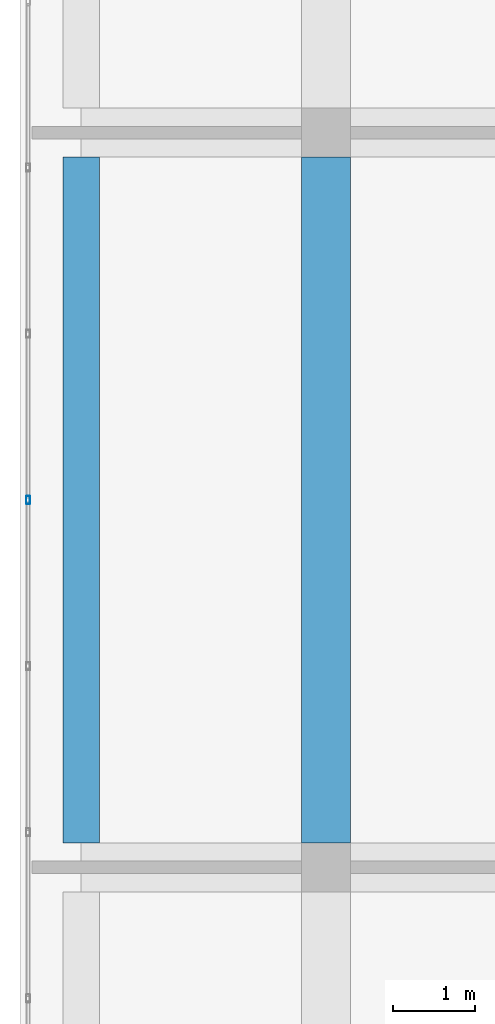
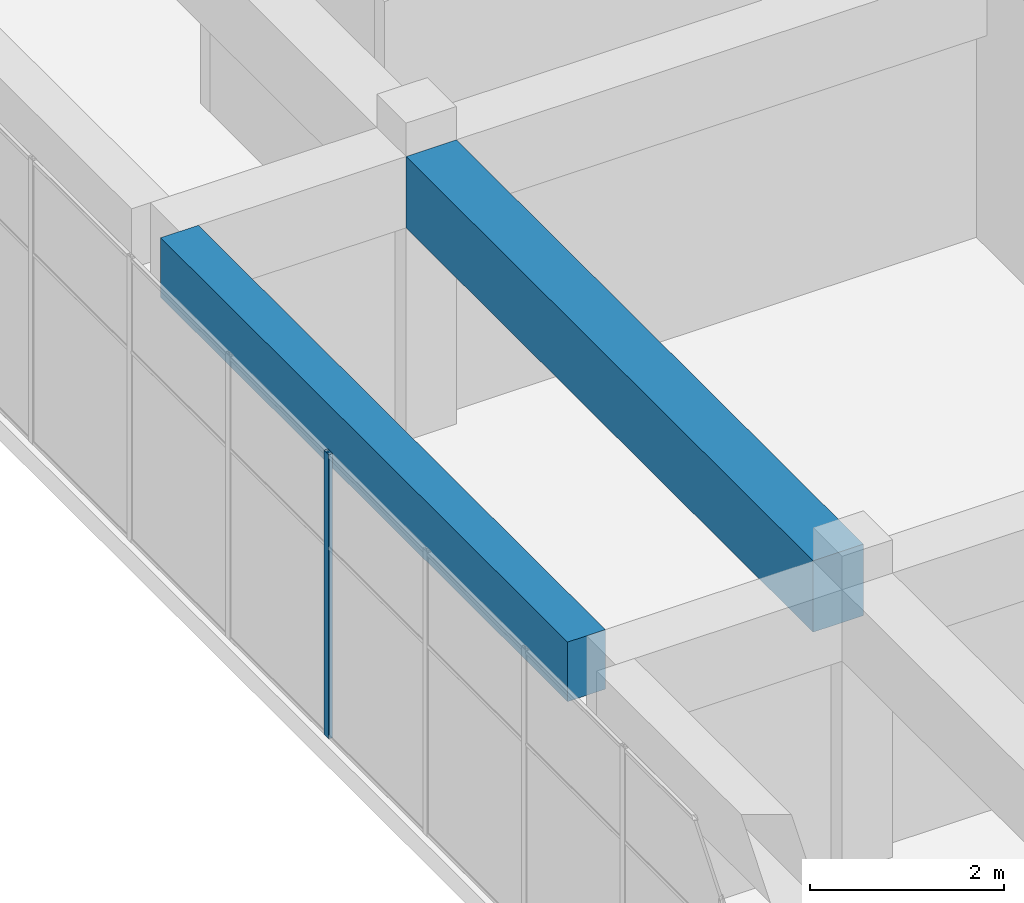
# One storey, part 11 of 35: 2 beams, 1 member, 1 element without a shape of its own.
"""IFC4 building model written with IfcOpenShell, lengths in metres."""

from ifc_helpers import new_model, si_unit, direction, frame, origin, origin_2d, place, context, subcontext, project, spatial, rectangle, hollow_rectangle, extrude, material, layer, layer_set, material_profile, profile_set, type_object, element, aggregate, save


model = new_model("IFC4")

# Units and contexts
model_context = context("Model", 3, precision=1e-05, world=origin(), true_north=direction((0.0, 1.0)))
body_context = subcontext(model_context, "Body", "Model", "MODEL_VIEW")
ifc_project = project(units=[si_unit("LENGTHUNIT", "METRE"), si_unit("AREAUNIT", "SQUARE_METRE"), si_unit("VOLUMEUNIT", "CUBIC_METRE"), si_unit("PLANEANGLEUNIT", "RADIAN"), si_unit("MASSUNIT", "GRAM", prefix="KILO")], contexts=[model_context])

# Site, building, storey
site_placement = place(None, origin())
site = spatial("IfcSite", under=ifc_project, at=site_placement, CompositionType="ELEMENT")
building_placement = place(site_placement, origin())
building = spatial("IfcBuilding", under=site, at=building_placement, Name="Tuart Plaza Theatre", CompositionType="ELEMENT")
storey_placement = place(building_placement, frame((0.0, 0.0, 49.5)))
storey = spatial("IfcBuildingStorey", under=building, at=storey_placement, Name="L12", CompositionType="ELEMENT", Elevation=49.5)

# Beams
ifc_material_1 = material(Name="Concrete N40 (40 MPa)", Category="concrete")
ifc_material_profile_1 = material_profile(ifc_material_1, rectangle(XDim=0.449951171875, YDim=0.75, at=origin_2d()), Name="BEAM 450x750 Concrete N40 (40 MPa)")
ifc_profile_set_1 = profile_set([ifc_material_profile_1], Name="Concrete N40 (40 MPa)")
beam_type_1 = type_object("IfcBeamType", Name="BEAM 450x750 Concrete N40 (40 MPa)", PredefinedType="BEAM", material=ifc_profile_set_1)
beam_1_placement = place(storey_placement, frame((111.0, 74.300048828125, 3.205078125), z_axis=(0.0, 1.0, 0.0), x_axis=(-1.0, 0.0, 0.0)))
element("IfcBeam", 1, at=beam_1_placement, inside=storey, type_object=beam_type_1, Name="RB284", PredefinedType="BEAM", context=body_context, shape_type="SweptSolid", body=[
    extrude(rectangle(XDim=0.449951171875, YDim=0.75, at=origin_2d()), origin(), (0.0, 0.0, 1.0), 8.39990234375),
])
ifc_material_2 = material(Name="Concrete N40 (40 MPa)", Category="concrete")
ifc_material_profile_2 = material_profile(ifc_material_2, rectangle(XDim=0.60009765625, YDim=0.89990234375, at=origin_2d()), Name="BEAM 600x900 Concrete N40 (40 MPa)")
ifc_profile_set_2 = profile_set([ifc_material_profile_2], Name="Concrete N40 (40 MPa)")
beam_type_2 = type_object("IfcBeamType", Name="BEAM 600x900 Concrete N40 (40 MPa)", PredefinedType="BEAM", material=ifc_profile_set_2)
beam_2_placement = place(storey_placement, frame((114.0, 74.300048828125, 3.1298828125), z_axis=(0.0, 1.0, 0.0), x_axis=(-1.0, 0.0, 0.0)))
element("IfcBeam", 2, at=beam_2_placement, inside=storey, type_object=beam_type_2, Name="RB291", PredefinedType="BEAM", context=body_context, shape_type="SweptSolid", body=[
    extrude(rectangle(XDim=0.60009765625, YDim=0.89990234375, at=origin_2d()), origin(), (0.0, 0.0, 1.0), 8.39990234375),
])

# Curtain wall, member
ifc_material_3 = material(Name="Aluminium and glass", Category="aluminium")
ifc_layer = layer(ifc_material_3, 0.10009765625)
ifc_layer_set = layer_set([ifc_layer], Name="CURTAIN WALL 2000 module")
curtain_wall_type = type_object("IfcCurtainWallType", Name="CURTAIN WALL 2000 module", PredefinedType="NOTDEFINED", material=ifc_layer_set)
curtain_wall_placement = place(storey_placement, origin())
curtain_wall = element("IfcCurtainWall", 3, at=curtain_wall_placement, inside=storey, type_object=curtain_wall_type, Name="CW106", PredefinedType="NOTDEFINED")
ifc_material_4 = material(Name="Aluminium 6063-T5", Category="aluminium")
ifc_material_profile_3 = material_profile(ifc_material_4, hollow_rectangle(XDim=0.050048828125, YDim=0.10009765625, WallThickness=0.00390625, InnerFilletRadius=0.00390625, OuterFilletRadius=0.008056640625, at=origin_2d()), Name="RHS 100x50x4")
ifc_profile_set_3 = profile_set([ifc_material_profile_3], Name="Aluminium 6063-T5")
member_type = type_object("IfcMemberType", Name="MULLION RHS 100x50x4", PredefinedType="MULLION", material=ifc_profile_set_3)
member_placement = place(storey_placement, frame((110.35009765625, 78.5, 0.0), z_axis=(0.0, 0.0, 1.0), x_axis=(1.0, 0.0, 0.0)))
member = element("IfcMember", 4, at=member_placement, type_object=member_type, Name="CW106 mullion 8", PredefinedType="MULLION", context=body_context, shape_type="SweptSolid", body=[
    extrude(hollow_rectangle(XDim=0.050048828125, YDim=0.10009765625, WallThickness=0.00390625, InnerFilletRadius=0.00390625, OuterFilletRadius=0.008056640625, at=origin_2d()), origin(), (0.0, 0.0, 1.0), 3.580078125),
])
aggregate(curtain_wall, [member])

save(model, "model.ifc")
